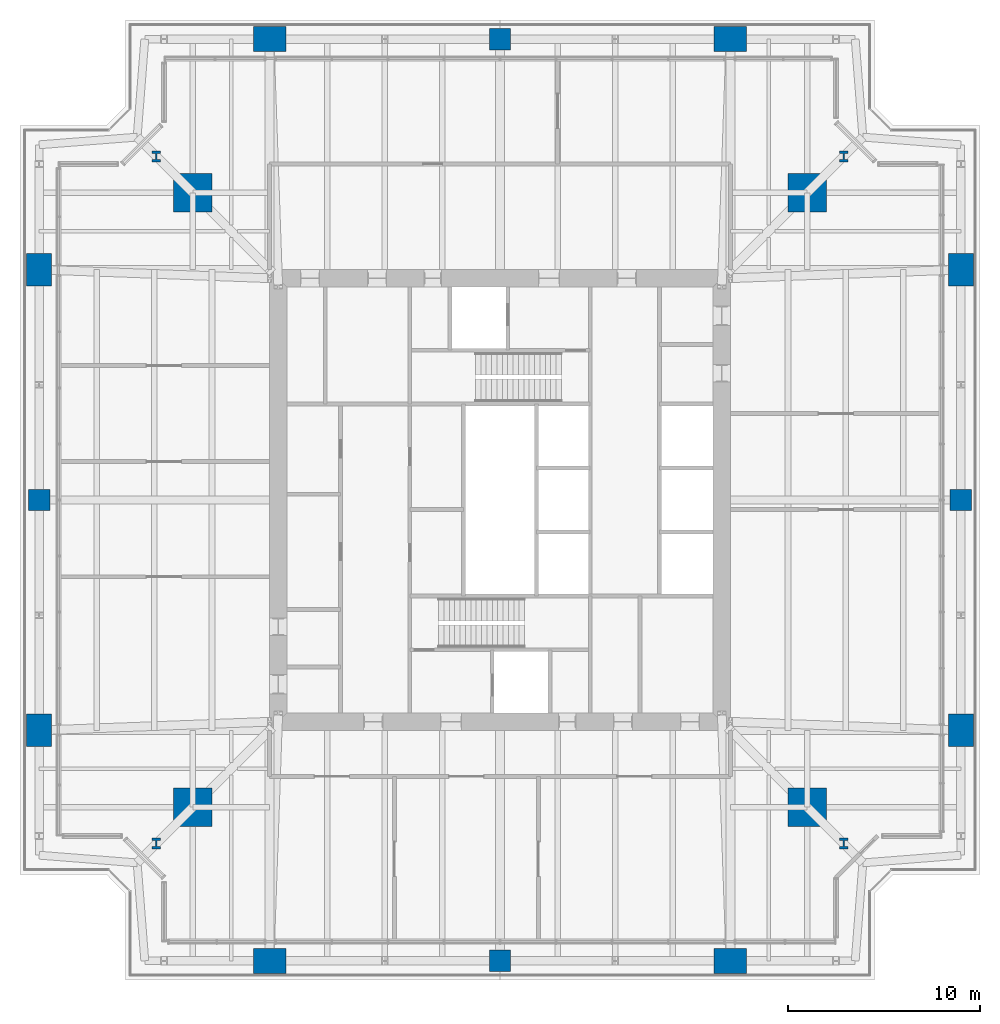
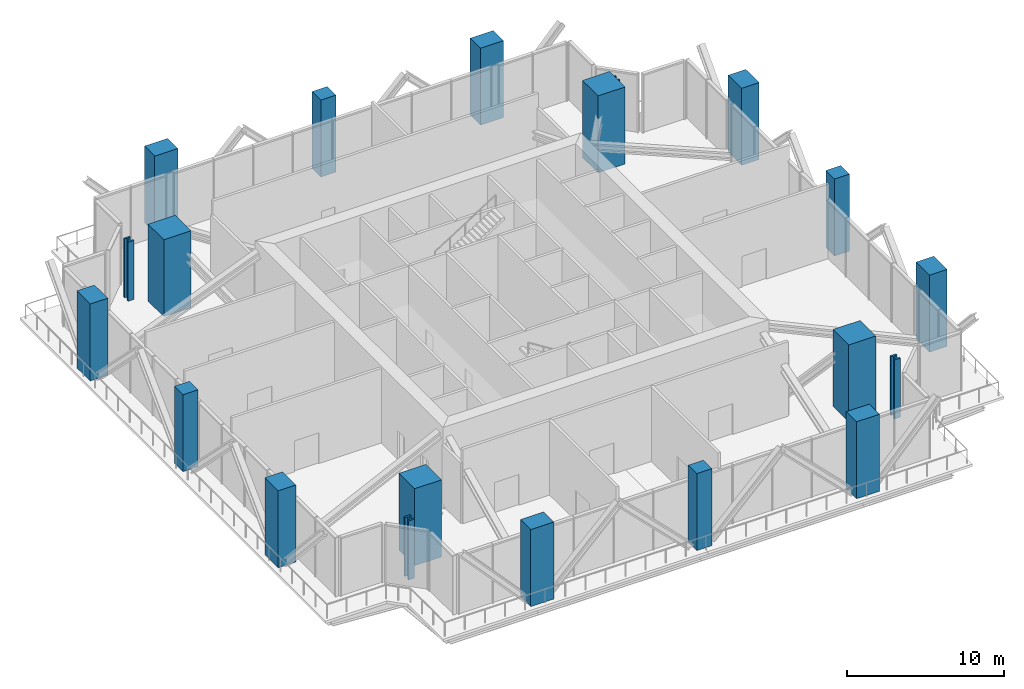
# One storey, part 1 of 14: 20 columns.
"""IFC4 building model written with IfcOpenShell, lengths in metres."""

import ifcopenshell
import ifcopenshell.guid

model = None  # the IFC model being written
_history = None  # IfcOwnerHistory: only IFC2X3 demands one
_inside = {}  # id of a spatial element -> (the spatial element, [elements in it])
_under = {}  # id of a project, library or spatial element -> (it, [spatial elements below it])
_declared = {}  # id of a project -> (the project, [libraries it declares])
_typed = {}  # id of a type object -> (the type object, [elements of that type])
_made_of = {}  # id of a material, layer set ... -> (it, [elements and type objects made of it])


def new_model(schema):
    """Start an empty IFC model of exactly this schema.

    Asked for "IFC4X3", IfcOpenShell would pick the latest addendum, in which some entities
    have other attributes; the version numbers below select the first issue.
    IFC2X3 requires an IfcOwnerHistory on every rooted entity: one is made here for all.
    """
    global model, _history
    if schema == "IFC4X3":
        model = ifcopenshell.file(schema_version=(4, 3, 0, 0))
    else:
        model = ifcopenshell.file(schema=schema)
    _inside.clear()
    _under.clear()
    _declared.clear()
    _typed.clear()
    _made_of.clear()
    _history = None
    if model.schema == "IFC2X3":
        org = make("IfcOrganization", Name="unknown")
        user = make(
            "IfcPersonAndOrganization",
            ThePerson=make("IfcPerson", FamilyName="unknown"),
            TheOrganization=org,
        )
        app = make(
            "IfcApplication",
            ApplicationDeveloper=org,
            Version="unknown",
            ApplicationFullName="unknown",
            ApplicationIdentifier="unknown",
        )
        _history = make(
            "IfcOwnerHistory",
            OwningUser=user,
            OwningApplication=app,
            ChangeAction="ADDED",
            CreationDate=0,
        )
    return model


def make(cls, **values):
    """One entity of the class cls with the attributes given. An attribute that is None is left unset."""
    return model.create_entity(
        cls, **{name: value for name, value in values.items() if value is not None}
    )


def rooted(cls, **values):
    """An entity with a GlobalId (a new one), such as an element, a storey or a relation."""
    return make(cls, GlobalId=ifcopenshell.guid.new(), OwnerHistory=_history, **values)


def si_unit(unit_type, name, prefix=None):
    """IfcSIUnit, for example si_unit("LENGTHUNIT", "METRE", prefix="MILLI")."""
    return make("IfcSIUnit", UnitType=unit_type, Prefix=prefix, Name=name)


def assignment(units):
    """IfcUnitAssignment: the units of a project."""
    return None if units is None else make("IfcUnitAssignment", Units=units)


def point(xyz):
    """IfcCartesianPoint."""
    return None if xyz is None else make("IfcCartesianPoint", Coordinates=xyz)


def direction(xyz):
    """IfcDirection."""
    return None if xyz is None else make("IfcDirection", DirectionRatios=xyz)


def frame(location, z_axis=None, x_axis=None):
    """IfcAxis2Placement3D, a coordinate frame: its origin and axes. An axis left out is left unset."""
    return make(
        "IfcAxis2Placement3D",
        Location=point(location),
        Axis=direction(z_axis),
        RefDirection=direction(x_axis),
    )


def frame_2d(location, x_axis=None):
    """IfcAxis2Placement2D, a coordinate frame in the plane: its origin and x axis."""
    return make(
        "IfcAxis2Placement2D", Location=point(location), RefDirection=direction(x_axis)
    )


def origin():
    """The frame at (0, 0, 0) with its axes left unset."""
    return frame((0.0, 0.0, 0.0))


def origin_2d():
    """The frame at (0, 0) in the plane with its x axis left unset."""
    return frame_2d((0.0, 0.0))


def place(relative_to, where):
    """IfcLocalPlacement: puts the frame where relative to a parent placement (None: the world)."""
    return make(
        "IfcLocalPlacement", PlacementRelTo=relative_to, RelativePlacement=where
    )


def context(
    kind, dimensions, precision=None, world=None, true_north=None, identifier=None
):
    """IfcGeometricRepresentationContext, for example the 3D "Model" context."""
    return make(
        "IfcGeometricRepresentationContext",
        ContextIdentifier=identifier,
        ContextType=kind,
        CoordinateSpaceDimension=dimensions,
        Precision=precision,
        WorldCoordinateSystem=world,
        TrueNorth=true_north,
    )


def subcontext(parent, identifier, kind, view, scale=None):
    """IfcGeometricRepresentationSubContext, for example "Body" below "Model"."""
    return make(
        "IfcGeometricRepresentationSubContext",
        ContextIdentifier=identifier,
        ContextType=kind,
        ParentContext=parent,
        TargetScale=scale,
        TargetView=view,
    )


def project(units=None, contexts=None):
    """IfcProject with its units and contexts."""
    return rooted(
        "IfcProject",
        Name="project",
        RepresentationContexts=contexts,
        UnitsInContext=assignment(units),
    )


def spatial(cls, under=None, at=None, **own):
    """A site, building, storey or space (cls), placed at a placement, below another one or the project."""
    s = rooted(cls, ObjectPlacement=at, **own)
    if under is not None:
        _under.setdefault(under.id(), (under, []))[1].append(s)
    return s


def profile(cls, at=None, kind="AREA", **sizes):
    """A parametric profile (cls). Its sizes go by their IFC names, for example OverallWidth=200.0."""
    return make(cls, ProfileType=kind, Position=at, **sizes)


def rectangle(**sizes):
    """IfcRectangleProfileDef."""
    return profile("IfcRectangleProfileDef", **sizes)


def i_section(**sizes):
    """IfcIShapeProfileDef."""
    return profile("IfcIShapeProfileDef", **sizes)


def extrude(swept, where, along, depth):
    """IfcExtrudedAreaSolid: the profile swept, set in the frame where, extruded along a direction by depth."""
    return make(
        "IfcExtrudedAreaSolid",
        SweptArea=swept,
        Position=where,
        ExtrudedDirection=direction(along),
        Depth=depth,
    )


def shape(context_of_items, identifier, shape_type, items):
    """IfcShapeRepresentation: the items that make up one representation, for example the "Body"."""
    return make(
        "IfcShapeRepresentation",
        ContextOfItems=context_of_items,
        RepresentationIdentifier=identifier,
        RepresentationType=shape_type,
        Items=items,
    )


def material(Name=None, Category=None):
    """IfcMaterial."""
    return make("IfcMaterial", Name=Name, Category=Category)


def material_profile(
    of_material, cross_section, Name=None, Category=None, Priority=None
):
    """IfcMaterialProfile: a cross section and its material."""
    return make(
        "IfcMaterialProfile",
        Name=Name,
        Material=of_material,
        Profile=cross_section,
        Priority=Priority,
        Category=Category,
    )


def profile_set(profiles, Name=None, composite=None):
    """IfcMaterialProfileSet."""
    return make(
        "IfcMaterialProfileSet",
        Name=Name,
        MaterialProfiles=profiles,
        CompositeProfile=composite,
    )


def made_of(thing, what):
    """Note that an element or type object is made of a material, layer set ...; save() writes the relation."""
    if what is not None:
        _made_of.setdefault(what.id(), (what, []))[1].append(thing)
    return thing


def type_object(cls, material=None, **own):
    """A type object (cls), such as IfcWallType, which elements share."""
    return made_of(rooted(cls, **own), material)


def element(
    cls,
    number,
    at=None,
    inside=None,
    cuts=None,
    type_object=None,
    material=None,
    context=None,
    identifier="Body",
    shape_type=None,
    held_by="IfcProductDefinitionShape",
    body=None,
    shapes=None,
    **own,
):
    """One element of the class cls, such as IfcWall. Its Tag is "e" and its number.

    at: its placement. inside: the storey or other place that contains it. cuts: it is an
    opening in that element (IfcRelVoidsElement). A single representation is given by context,
    identifier, shape_type and body (its items); several are given by shapes. held_by: the class
    of the entity that holds the representations. save() writes the other relations.
    """
    e = rooted(cls, Tag="e%d" % number, ObjectPlacement=at, **own)
    if body is not None:
        shapes = [shape(context, identifier, shape_type, body)]
    if shapes is not None:
        e.Representation = make(held_by, Representations=shapes)
    if inside is not None:
        _inside.setdefault(inside.id(), (inside, []))[1].append(e)
    if cuts is not None:
        rooted(
            "IfcRelVoidsElement", RelatingBuildingElement=cuts, RelatedOpeningElement=e
        )
    if type_object is not None:
        _typed.setdefault(type_object.id(), (type_object, []))[1].append(e)
    return made_of(e, material)


def aggregate(whole, parts):
    """IfcRelAggregates: a whole, such as a stair, and the parts it consists of."""
    return rooted("IfcRelAggregates", RelatingObject=whole, RelatedObjects=parts)


def save(model, path):
    """Write the relations noted so far, then the file.

    IfcRelAggregates (storeys below a building ...), IfcRelContainedInSpatialStructure (elements
    in a storey), IfcRelDefinesByType, IfcRelAssociatesMaterial and IfcRelDeclares: one each for
    every whole, place, type object, material and project.
    """
    for whole, parts in _under.values():
        aggregate(whole, parts)
    for where, things in _inside.values():
        rooted(
            "IfcRelContainedInSpatialStructure",
            RelatedElements=things,
            RelatingStructure=where,
        )
    for kind, things in _typed.values():
        rooted("IfcRelDefinesByType", RelatedObjects=things, RelatingType=kind)
    for what, things in _made_of.values():
        rooted("IfcRelAssociatesMaterial", RelatedObjects=things, RelatingMaterial=what)
    for by, libraries in _declared.values():
        rooted("IfcRelDeclares", RelatingContext=by, RelatedDefinitions=libraries)
    model.write(path)


model = new_model("IFC4")

# Units and contexts
model_context = context("Model", 3, precision=1e-05, world=origin(), true_north=direction((0.0, 1.0)))
body_context = subcontext(model_context, "Body", "Model", "MODEL_VIEW")
ifc_project = project(units=[si_unit("LENGTHUNIT", "METRE"), si_unit("AREAUNIT", "SQUARE_METRE"), si_unit("VOLUMEUNIT", "CUBIC_METRE"), si_unit("PLANEANGLEUNIT", "RADIAN"), si_unit("MASSUNIT", "GRAM", prefix="KILO")], contexts=[model_context])

# Site, building, storey
site_placement = place(None, origin())
site = spatial("IfcSite", under=ifc_project, at=site_placement, CompositionType="ELEMENT")
building_placement = place(site_placement, origin())
building = spatial("IfcBuilding", under=site, at=building_placement, Name="Fenwick Lantern Interchange", CompositionType="ELEMENT")
storey_placement = place(building_placement, frame((0.0, 0.0, 233.800048828125)))
storey = spatial("IfcBuildingStorey", under=building, at=storey_placement, Name="L55", CompositionType="ELEMENT", Elevation=233.800048828125)

# Columns
ifc_material_1 = material(Name="Concrete f'c 70 MPa", Category="concrete")
ifc_material_profile_1 = material_profile(ifc_material_1, rectangle(XDim=2.0, YDim=2.0, at=origin_2d()), Name="RC2000X2000")
ifc_profile_set_1 = profile_set([ifc_material_profile_1], Name="Concrete f'c 70 MPa")
column_type_1 = type_object("IfcColumnType", Name="MEGA COLUMN RC2000X2000", PredefinedType="COLUMN", material=ifc_profile_set_1)
for number, where, z_axis, x_axis, name in (
    (1, (9.0, 9.0, 0.0), (0.0, 0.0, 1.0), (1.0, 0.0, 0.0), "L55/M1"),
    (2, (41.0, 9.0, 0.0), (0.0, 0.0, 1.0), (1.0, 0.0, 0.0), "L55/M2"),
    (3, (41.0, 41.0, 0.0), (0.0, 0.0, 1.0), (1.0, 0.0, 0.0), "L55/M3"),
    (4, (9.0, 41.0, 0.0), (0.0, 0.0, 1.0), (1.0, 0.0, 0.0), "L55/M4"),
):
    element("IfcColumn", number, at=place(storey_placement, frame(where, z_axis=z_axis, x_axis=x_axis)), inside=storey, type_object=column_type_1, Name=name, PredefinedType="COLUMN", context=body_context, shape_type="SweptSolid", body=[
        extrude(rectangle(XDim=2.0, YDim=2.0, at=origin_2d()), origin(), (0.0, 0.0, 1.0), 6.0),
    ])
ifc_material_profile_2 = material_profile(ifc_material_1, rectangle(XDim=1.10009765625, YDim=1.10009765625, at=origin_2d()), Name="RC1100X1100")
ifc_profile_set_2 = profile_set([ifc_material_profile_2], Name="Concrete f'c 70 MPa")
column_type_2 = type_object("IfcColumnType", Name="PERIMETER COLUMN RC1100X1100", PredefinedType="COLUMN", material=ifc_profile_set_2)
for number, where, z_axis, x_axis, name in (
    (5, (25.0, 1.0, 0.0), (0.0, 0.0, 1.0), (1.0, 0.0, 0.0), "L55/CS3"),
    (6, (49.0, 25.0, 0.0), (0.0, 0.0, 1.0), (1.0, 0.0, 0.0), "L55/CE3"),
    (7, (25.0, 49.0, 0.0), (0.0, 0.0, 1.0), (1.0, 0.0, 0.0), "L55/CN3"),
    (8, (1.0, 25.0, 0.0), (0.0, 0.0, 1.0), (1.0, 0.0, 0.0), "L55/CW3"),
):
    element("IfcColumn", number, at=place(storey_placement, frame(where, z_axis=z_axis, x_axis=x_axis)), inside=storey, type_object=column_type_2, Name=name, PredefinedType="COLUMN", context=body_context, shape_type="SweptSolid", body=[
        extrude(rectangle(XDim=1.10009765625, YDim=1.10009765625, at=origin_2d()), origin(), (0.0, 0.0, 1.0), 6.0),
    ])
ifc_material_profile_3 = material_profile(ifc_material_1, rectangle(XDim=1.300048828125, YDim=1.699951171875, at=origin_2d()), Name="RC1300X1700")
ifc_profile_set_3 = profile_set([ifc_material_profile_3], Name="Concrete f'c 70 MPa")
column_type_3 = type_object("IfcColumnType", Name="PERIMETER COLUMN RC1300X1700", PredefinedType="COLUMN", material=ifc_profile_set_3)
for number, where, z_axis, x_axis, name in (
    (9, (49.0, 13.0, 0.0), (0.0, 0.0, 1.0), (1.0, 0.0, 0.0), "L55/CE2"),
    (10, (49.0, 37.0, 0.0), (0.0, 0.0, 1.0), (1.0, 0.0, 0.0), "L55/CE4"),
    (11, (1.0, 37.0, 0.0), (0.0, 0.0, 1.0), (1.0, 0.0, 0.0), "L55/CW2"),
    (12, (1.0, 13.0, 0.0), (0.0, 0.0, 1.0), (1.0, 0.0, 0.0), "L55/CW4"),
):
    element("IfcColumn", number, at=place(storey_placement, frame(where, z_axis=z_axis, x_axis=x_axis)), inside=storey, type_object=column_type_3, Name=name, PredefinedType="COLUMN", context=body_context, shape_type="SweptSolid", body=[
        extrude(rectangle(XDim=1.300048828125, YDim=1.699951171875, at=origin_2d()), origin(), (0.0, 0.0, 1.0), 6.0),
    ])
ifc_material_profile_4 = material_profile(ifc_material_1, rectangle(XDim=1.699951171875, YDim=1.300048828125, at=origin_2d()), Name="RC1700X1300")
ifc_profile_set_4 = profile_set([ifc_material_profile_4], Name="Concrete f'c 70 MPa")
column_type_4 = type_object("IfcColumnType", Name="PERIMETER COLUMN RC1700X1300", PredefinedType="COLUMN", material=ifc_profile_set_4)
for number, where, z_axis, x_axis, name in (
    (13, (13.0, 1.0, 0.0), (0.0, 0.0, 1.0), (1.0, 0.0, 0.0), "L55/CS2"),
    (14, (37.0, 1.0, 0.0), (0.0, 0.0, 1.0), (1.0, 0.0, 0.0), "L55/CS4"),
    (15, (37.0, 49.0, 0.0), (0.0, 0.0, 1.0), (1.0, 0.0, 0.0), "L55/CN2"),
    (16, (13.0, 49.0, 0.0), (0.0, 0.0, 1.0), (1.0, 0.0, 0.0), "L55/CN4"),
):
    element("IfcColumn", number, at=place(storey_placement, frame(where, z_axis=z_axis, x_axis=x_axis)), inside=storey, type_object=column_type_4, Name=name, PredefinedType="COLUMN", context=body_context, shape_type="SweptSolid", body=[
        extrude(rectangle(XDim=1.699951171875, YDim=1.300048828125, at=origin_2d()), origin(), (0.0, 0.0, 1.0), 6.0),
    ])
ifc_material_2 = material(Name="Steel ASTM A992 Grade 50", Category="steel")
ifc_material_profile_5 = material_profile(ifc_material_2, i_section(OverallWidth=0.45458984375, OverallDepth=0.56884765625, WebThickness=0.077880859375, FlangeThickness=0.124755859375, at=origin_2d()), Name="W14X730")
ifc_profile_set_5 = profile_set([ifc_material_profile_5], Name="Steel ASTM A992 Grade 50")
column_type_5 = type_object("IfcColumnType", Name="PERIMETER COLUMN W14X730", PredefinedType="COLUMN", material=ifc_profile_set_5)
for number, where, z_axis, x_axis, name in (
    (17, (42.89990234375, 7.10009765625, 0.0), (0.0, 0.0, 1.0), (1.0, 0.0, 0.0), "L55/TPSR"),
    (18, (42.89990234375, 42.89990234375, 0.0), (0.0, 0.0, 1.0), (1.0, 0.0, 0.0), "L55/TPER"),
    (19, (7.10009765625, 42.89990234375, 0.0), (0.0, 0.0, 1.0), (1.0, 0.0, 0.0), "L55/TPNR"),
    (20, (7.10009765625, 7.10009765625, 0.0), (0.0, 0.0, 1.0), (1.0, 0.0, 0.0), "L55/TPWR"),
):
    element("IfcColumn", number, at=place(storey_placement, frame(where, z_axis=z_axis, x_axis=x_axis)), inside=storey, type_object=column_type_5, Name=name, PredefinedType="COLUMN", context=body_context, shape_type="SweptSolid", body=[
        extrude(i_section(OverallWidth=0.45458984375, OverallDepth=0.56884765625, WebThickness=0.077880859375, FlangeThickness=0.124755859375, at=origin_2d()), origin(), (0.0, 0.0, 1.0), 4.599853515625),
    ])

save(model, "model.ifc")
